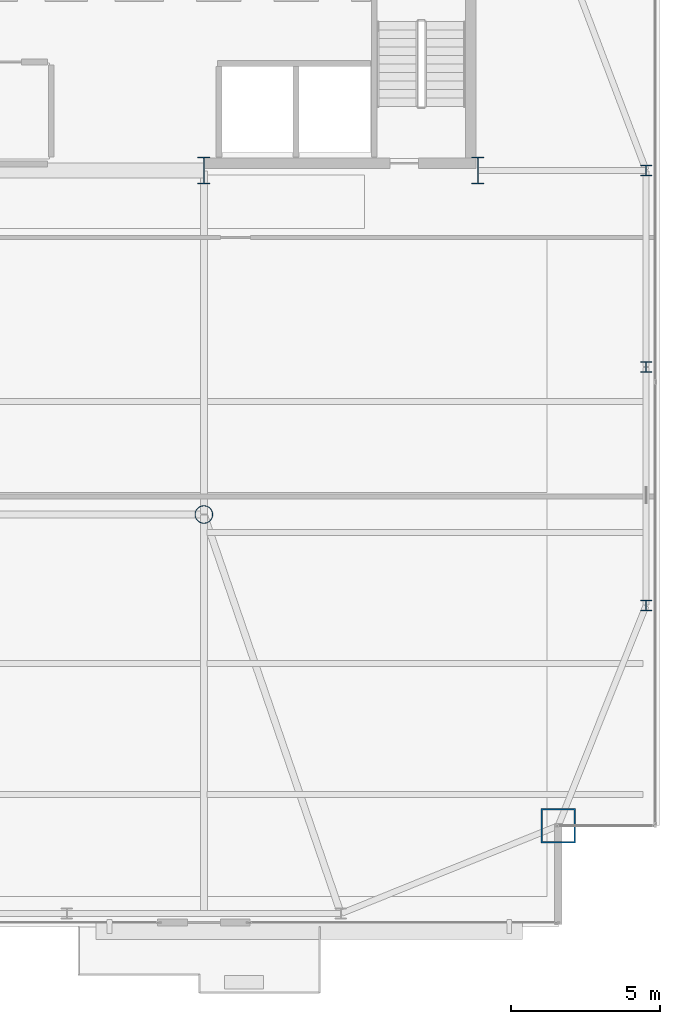
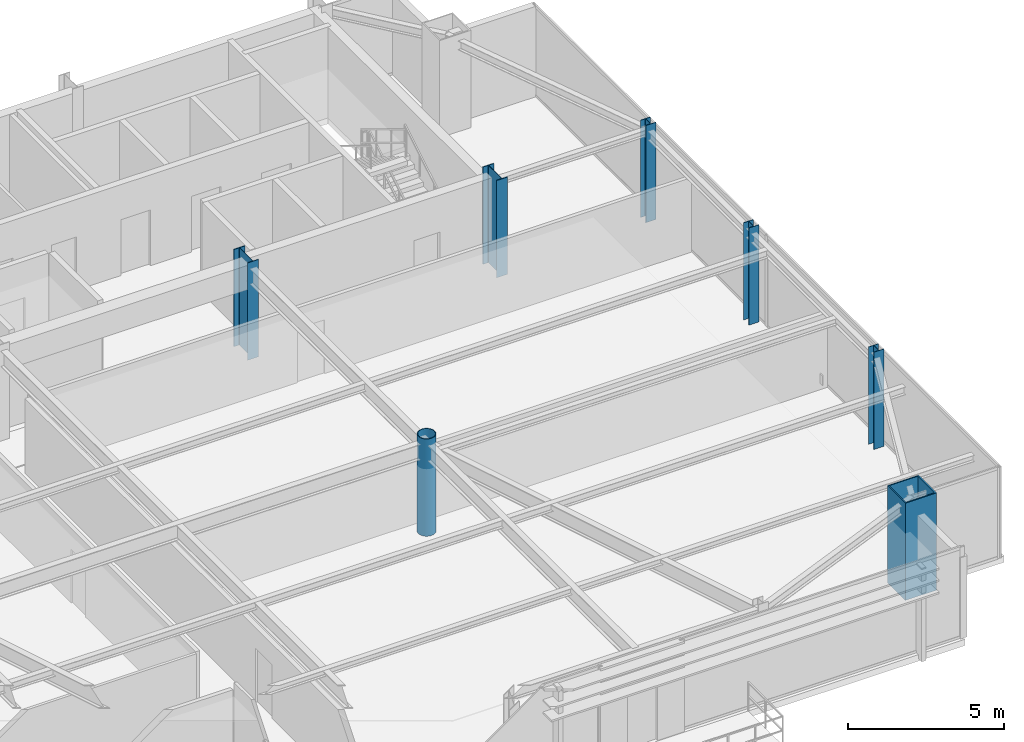
# One storey, part 2 of 30: 7 columns.
"""IFC4 building model written with IfcOpenShell, lengths in metres."""

from ifc_helpers import new_model, si_unit, direction, frame, origin, origin_2d, place, context, subcontext, project, spatial, hollow_rectangle, hollow_circle, i_section, extrude, source, transform, mapped, material, material_profile, profile_set, type_object, type_shapes, element, save


model = new_model("IFC4")

# Units and contexts
model_context = context("Model", 3, precision=1e-05, world=origin(), true_north=direction((0.0, 1.0)))
body_context = subcontext(model_context, "Body", "Model", "MODEL_VIEW")
ifc_project = project(units=[si_unit("LENGTHUNIT", "METRE"), si_unit("AREAUNIT", "SQUARE_METRE"), si_unit("VOLUMEUNIT", "CUBIC_METRE"), si_unit("PLANEANGLEUNIT", "RADIAN"), si_unit("MASSUNIT", "GRAM", prefix="KILO")], contexts=[model_context])

# Site, building, storey
site_placement = place(None, origin())
site = spatial("IfcSite", under=ifc_project, at=site_placement, CompositionType="ELEMENT")
building_placement = place(site_placement, origin())
building = spatial("IfcBuilding", under=site, at=building_placement, Name="Varnel Quay Broadcast Tower", CompositionType="ELEMENT")
storey_placement = place(building_placement, frame((0.0, 0.0, 222.60009765625)))
storey = spatial("IfcBuildingStorey", under=building, at=storey_placement, Name="L55", CompositionType="ELEMENT", Elevation=222.60009765625)

# Columns
ifc_material_1 = material(Name="Structural Steel CSA G40.21 350WT", Category="steel")
ifc_material_profile_1 = material_profile(ifc_material_1, i_section(OverallWidth=0.39990234375, OverallDepth=0.89990234375, WebThickness=0.01611328125, FlangeThickness=0.028076171875, FilletRadius=0.01611328125, at=origin_2d()), Name="WWF900X309")
ifc_profile_set_1 = profile_set([ifc_material_profile_1], Name="Structural Steel CSA G40.21 350WT")
column_type_1 = type_object("IfcColumnType", Name="Col_WWF900X309", PredefinedType="COLUMN", material=ifc_profile_set_1)
shared_shape_1 = source(origin(), body_context, "Body", "SweptSolid", [
    extrude(i_section(OverallWidth=0.39990234375, OverallDepth=0.89990234375, WebThickness=0.01611328125, FlangeThickness=0.028076171875, FilletRadius=0.01611328125, at=origin_2d()), origin(), (0.0, 0.0, 1.0), 3.7998046875),
])
type_shapes(column_type_1, [shared_shape_1])
for number, where, z_axis, x_axis, name in (
    (1, (43.199951171875, 35.60009765625, 0.0), (0.0, 0.0, 1.0), (1.0, 0.0, 0.0), "L55 Column CC-S4"),
    (2, (52.39990234375, 35.60009765625, 0.0), (0.0, 0.0, 1.0), (1.0, 0.0, 0.0), "L55 Column CC-S5"),
):
    element("IfcColumn", number, at=place(storey_placement, frame(where, z_axis=z_axis, x_axis=x_axis)), inside=storey, type_object=column_type_1, Name=name, PredefinedType="COLUMN", context=body_context, shape_type="MappedRepresentation", body=[
        mapped(shared_shape_1, transform((0.0, 0.0, 0.0), x_axis=(1.0, 0.0, 0.0), y_axis=(0.0, 1.0, 0.0), z_axis=(0.0, 0.0, 1.0), scale=1.0)),
    ])
ifc_material_profile_2 = material_profile(ifc_material_1, hollow_rectangle(XDim=1.14990234375, YDim=1.14990234375, WallThickness=0.044921875, at=origin_2d()), Name="BOX1150X1150X45")
ifc_profile_set_2 = profile_set([ifc_material_profile_2], Name="Structural Steel CSA G40.21 350WT")
column_type_2 = type_object("IfcColumnType", Name="Col_BOX1150X1150X45", PredefinedType="COLUMN", material=ifc_profile_set_2)
shared_shape_2 = source(origin(), body_context, "Body", "SweptSolid", [
    extrude(hollow_rectangle(XDim=1.14990234375, YDim=1.14990234375, WallThickness=0.044921875, at=origin_2d()), origin(), (0.0, 0.0, 1.0), 3.7998046875),
])
type_shapes(column_type_2, [shared_shape_2])
column_1_placement = place(storey_placement, frame((55.10009765625, 13.60009765625, 0.0), z_axis=(0.0, 0.0, 1.0), x_axis=(1.0, 0.0, 0.0)))
element("IfcColumn", 3, at=column_1_placement, inside=storey, type_object=column_type_2, Name="L55 Column MC-SE", PredefinedType="COLUMN", context=body_context, shape_type="MappedRepresentation", body=[
    mapped(shared_shape_2, transform((0.0, 0.0, 0.0), x_axis=(1.0, 0.0, 0.0), y_axis=(0.0, 1.0, 0.0), z_axis=(0.0, 0.0, 1.0), scale=1.0)),
])
ifc_material_2 = material(Name="Structural Steel CSA G40.21 350W", Category="steel")
ifc_material_profile_3 = material_profile(ifc_material_2, i_section(OverallWidth=0.368896484375, OverallDepth=0.35595703125, WebThickness=0.01123046875, FlangeThickness=0.01806640625, FilletRadius=0.01611328125, at=origin_2d()), Name="W360X134")
ifc_profile_set_3 = profile_set([ifc_material_profile_3], Name="Structural Steel CSA G40.21 350W")
column_type_3 = type_object("IfcColumnType", Name="Col_W360X134", PredefinedType="COLUMN", material=ifc_profile_set_3)
shared_shape_3 = source(origin(), body_context, "Body", "SweptSolid", [
    extrude(i_section(OverallWidth=0.368896484375, OverallDepth=0.35595703125, WebThickness=0.01123046875, FlangeThickness=0.01806640625, FilletRadius=0.01611328125, at=origin_2d()), origin(), (0.0, 0.0, 1.0), 3.7998046875),
])
type_shapes(column_type_3, [shared_shape_3])
for number, where, z_axis, x_axis, name in (
    (4, (58.050048828125, 21.0, 0.0), (0.0, 0.0, 1.0), (1.0, 0.0, 0.0), "L55 Column TC-E1"),
    (5, (58.050048828125, 29.0, 0.0), (0.0, 0.0, 1.0), (1.0, 0.0, 0.0), "L55 Column TC-E2"),
    (6, (58.050048828125, 35.60009765625, 0.0), (0.0, 0.0, 1.0), (1.0, 0.0, 0.0), "L55 Column TC-E3"),
):
    element("IfcColumn", number, at=place(storey_placement, frame(where, z_axis=z_axis, x_axis=x_axis)), inside=storey, type_object=column_type_3, Name=name, PredefinedType="COLUMN", context=body_context, shape_type="MappedRepresentation", body=[
        mapped(shared_shape_3, transform((0.0, 0.0, 0.0), x_axis=(1.0, 0.0, 0.0), y_axis=(0.0, 1.0, 0.0), z_axis=(0.0, 0.0, 1.0), scale=1.0)),
    ])
ifc_material_profile_4 = material_profile(ifc_material_2, hollow_circle(Radius=0.304931640625, WallThickness=0.02490234375, at=origin_2d()), Name="CHS610X25")
ifc_profile_set_4 = profile_set([ifc_material_profile_4], Name="Structural Steel CSA G40.21 350W")
column_type_4 = type_object("IfcColumnType", Name="Col_CHS610X25", PredefinedType="COLUMN", material=ifc_profile_set_4)
shared_shape_4 = source(origin(), body_context, "Body", "SweptSolid", [
    extrude(hollow_circle(Radius=0.304931640625, WallThickness=0.02490234375, at=origin_2d()), origin(), (0.0, 0.0, 1.0), 3.7998046875),
])
type_shapes(column_type_4, [shared_shape_4])
column_2_placement = place(storey_placement, frame((43.199951171875, 24.050048828125, 0.0), z_axis=(0.0, 0.0, 1.0), x_axis=(1.0, 0.0, 0.0)))
element("IfcColumn", 7, at=column_2_placement, inside=storey, type_object=column_type_4, Name="L55 Column IC-02", PredefinedType="COLUMN", context=body_context, shape_type="MappedRepresentation", body=[
    mapped(shared_shape_4, transform((0.0, 0.0, 0.0), x_axis=(1.0, 0.0, 0.0), y_axis=(0.0, 1.0, 0.0), z_axis=(0.0, 0.0, 1.0), scale=1.0)),
])

save(model, "model.ifc")
